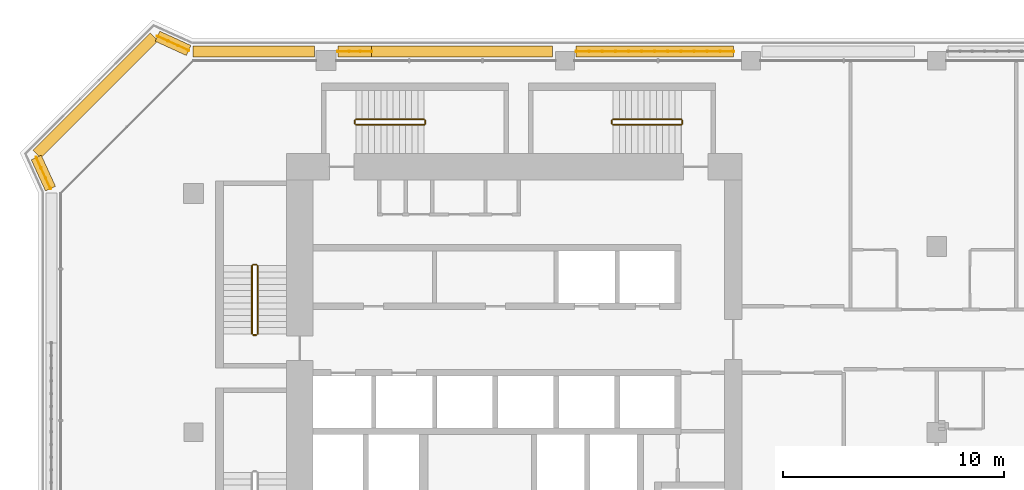
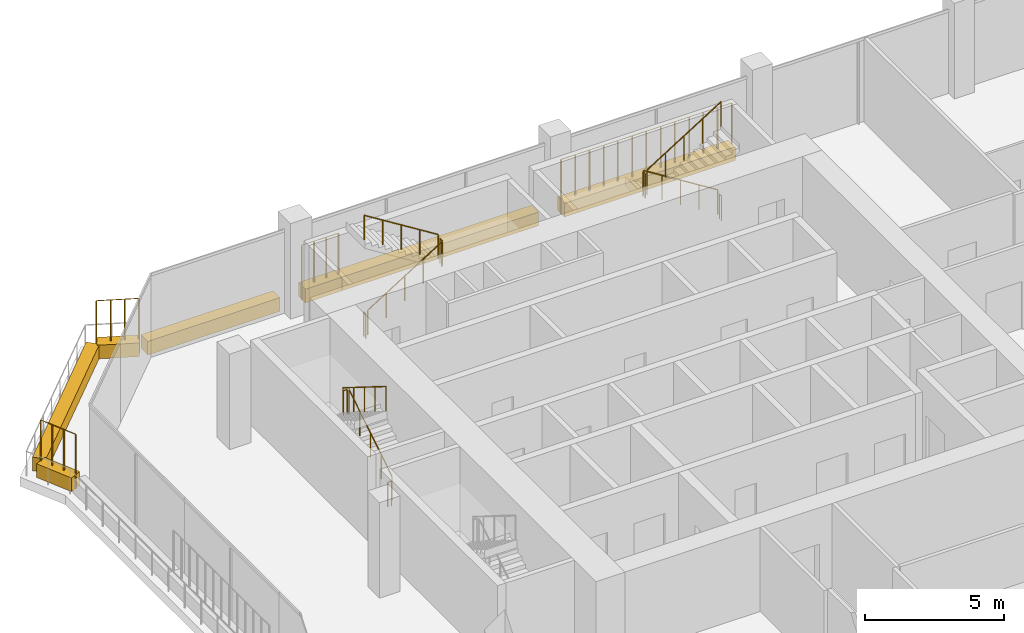
# One storey, part 21 of 23: 16 railings, 7 coverings.
"""IFC4 building model written with IfcOpenShell, lengths in metres."""

from ifc_helpers import new_model, si_unit, direction, frame, origin, origin_2d, place, context, subcontext, project, spatial, rectangle, circle, extrude, material, material_profile, profile_set, type_object, element, save


model = new_model("IFC4")

# Units and contexts
model_context = context("Model", 3, precision=1e-05, world=origin(), true_north=direction((0.0, 1.0)))
body_context = subcontext(model_context, "Body", "Model", "MODEL_VIEW")
ifc_project = project(units=[si_unit("LENGTHUNIT", "METRE"), si_unit("AREAUNIT", "SQUARE_METRE"), si_unit("VOLUMEUNIT", "CUBIC_METRE"), si_unit("PLANEANGLEUNIT", "RADIAN"), si_unit("MASSUNIT", "GRAM", prefix="KILO")], contexts=[model_context])

# Site, building, storey
site_placement = place(None, origin())
site = spatial("IfcSite", under=ifc_project, at=site_placement, CompositionType="ELEMENT")
building_placement = place(site_placement, origin())
building = spatial("IfcBuilding", under=site, at=building_placement, Name="Kawkab Arch Medical Tower", CompositionType="ELEMENT")
storey_placement = place(building_placement, frame((0.0, 0.0, 268.39990234375)))
storey = spatial("IfcBuildingStorey", under=building, at=storey_placement, Name="L62", CompositionType="ELEMENT", Elevation=268.39990234375)

# Coverings
ifc_material_1 = material(Name="Planting soil in a precast trough", Category="concrete")
ifc_material_profile = material_profile(ifc_material_1, rectangle(XDim=0.5, YDim=0.60009765625, at=origin_2d()), Name="Trough 500x600")
ifc_profile_set = profile_set([ifc_material_profile], Name="Planting soil in a precast trough")
covering_type = type_object("IfcCoveringType", Name="Planter trough 500 x 600", PredefinedType="USERDEFINED", material=ifc_profile_set)
covering_1_placement = place(storey_placement, frame((-6.4609375, -5.782958984375, 0.300048828125), z_axis=(-0.415363486165, 0.909655525109, 0.0), x_axis=(-0.909655525109, -0.415363486165, 0.0)))
element("IfcCovering", 1, at=covering_1_placement, inside=storey, type_object=covering_type, Name="Planter L62.LOG-01-01.13", ObjectType="PLANTER", PredefinedType="USERDEFINED", context=body_context, shape_type="SweptSolid", body=[
    extrude(rectangle(XDim=0.5, YDim=0.60009765625, at=origin_2d()), origin(), (0.0, 0.0, 1.0), 1.54345703125),
])
covering_2_placement = place(storey_placement, frame((-7.072998046875, -4.217041015625, 0.300048828125), z_axis=(0.707106781187, 0.707106781187, 0.0), x_axis=(-0.707106781187, 0.707106781187, 0.0)))
element("IfcCovering", 2, at=covering_2_placement, inside=storey, type_object=covering_type, Name="Planter L62.LOG-01-01.14", ObjectType="PLANTER", PredefinedType="USERDEFINED", context=body_context, shape_type="SweptSolid", body=[
    extrude(rectangle(XDim=0.5, YDim=0.60009765625, at=origin_2d()), origin(), (0.0, 0.0, 1.0), 7.481201171875),
])
covering_3_placement = place(storey_placement, frame((-1.62109375, 1.10205078125, 0.300048828125), z_axis=(0.909655525109, -0.415363486165, 0.0), x_axis=(0.415363486165, 0.909655525109, 0.0)))
element("IfcCovering", 3, at=covering_3_placement, inside=storey, type_object=covering_type, Name="Planter L62.LOG-01-01.15", ObjectType="PLANTER", PredefinedType="USERDEFINED", context=body_context, shape_type="SweptSolid", body=[
    extrude(rectangle(XDim=0.5, YDim=0.60009765625, at=origin_2d()), origin(), (0.0, 0.0, 1.0), 1.54345703125),
])
covering_4_placement = place(storey_placement, frame((-0.02587890625, 0.419921875, 0.300048828125), z_axis=(1.0, 0.0, 0.0), x_axis=(0.0, 1.0, 0.0)))
element("IfcCovering", 4, at=covering_4_placement, inside=storey, type_object=covering_type, Name="Planter L62.LOG-01-01.16", ObjectType="PLANTER", PredefinedType="USERDEFINED", context=body_context, shape_type="SweptSolid", body=[
    extrude(rectangle(XDim=0.5, YDim=0.60009765625, at=origin_2d()), origin(), (0.0, 0.0, 1.0), 5.495849609375),
])
covering_5_placement = place(storey_placement, frame((6.530029296875, 0.419921875, 0.300048828125), z_axis=(1.0, 0.0, 0.0), x_axis=(0.0, 1.0, 0.0)))
element("IfcCovering", 5, at=covering_5_placement, inside=storey, type_object=covering_type, Name="Planter L62.LOG-01-01.17", ObjectType="PLANTER", PredefinedType="USERDEFINED", context=body_context, shape_type="SweptSolid", body=[
    extrude(rectangle(XDim=0.5, YDim=0.60009765625, at=origin_2d()), origin(), (0.0, 0.0, 1.0), 1.52294921875),
])
covering_6_placement = place(storey_placement, frame((8.052978515625, 0.419921875, 0.300048828125), z_axis=(1.0, 0.0, 0.0), x_axis=(0.0, 1.0, 0.0)))
element("IfcCovering", 6, at=covering_6_placement, inside=storey, type_object=covering_type, Name="Planter L62.LOG-01-01.18", ObjectType="PLANTER", PredefinedType="USERDEFINED", context=body_context, shape_type="SweptSolid", body=[
    extrude(rectangle(XDim=0.5, YDim=0.60009765625, at=origin_2d()), origin(), (0.0, 0.0, 1.0), 8.178955078125),
])
covering_7_placement = place(storey_placement, frame((17.304931640625, 0.419921875, 0.300048828125), z_axis=(1.0, 0.0, 0.0), x_axis=(0.0, 1.0, 0.0)))
element("IfcCovering", 7, at=covering_7_placement, inside=storey, type_object=covering_type, Name="Planter L62.LOG-01-01.19", ObjectType="PLANTER", PredefinedType="USERDEFINED", context=body_context, shape_type="SweptSolid", body=[
    extrude(rectangle(XDim=0.5, YDim=0.60009765625, at=origin_2d()), origin(), (0.0, 0.0, 1.0), 7.10595703125),
])

# Railings
ifc_material_2 = material(Name="Bronze anodised aluminium trellis for climbing plants", Category="aluminium")
railing_type_1 = type_object("IfcRailingType", Name="Planting trellis 2400", PredefinedType="USERDEFINED", material=ifc_material_2)
railing_1_placement = place(storey_placement, frame((-6.4609375, -5.782958984375, 0.0)))
element("IfcRailing", 8, at=railing_1_placement, inside=storey, type_object=railing_type_1, Name="Planting trellis L62.LOG-01-01.13", ObjectType="TRELLIS", PredefinedType="USERDEFINED", context=body_context, shape_type="SweptSolid", body=[
    extrude(circle(Radius=0.01513671875, at=origin_2d()), frame((0.0, 0.0, 2.384765625), z_axis=(-0.415363486165, 0.909655525109, 0.0), x_axis=(-0.909655525109, -0.415363486165, 0.0)), (0.0, 0.0, 1.0), 1.54345703125),
    extrude(circle(Radius=0.030029296875, at=origin_2d()), origin(), (0.0, 0.0, 1.0), 2.369873046875),
    extrude(circle(Radius=0.030029296875, at=origin_2d()), frame((-0.213623046875, 0.468017578125, 0.0)), (0.0, 0.0, 1.0), 2.369873046875),
    extrude(circle(Radius=0.030029296875, at=origin_2d()), frame((-0.427490234375, 0.93603515625, 0.0)), (0.0, 0.0, 1.0), 2.369873046875),
    extrude(circle(Radius=0.030029296875, at=origin_2d()), frame((-0.64111328125, 1.404052734375, 0.0)), (0.0, 0.0, 1.0), 2.369873046875),
])
railing_2_placement = place(storey_placement, frame((-1.62109375, 1.10205078125, 0.0)))
element("IfcRailing", 9, at=railing_2_placement, inside=storey, type_object=railing_type_1, Name="Planting trellis L62.LOG-01-01.15", ObjectType="TRELLIS", PredefinedType="USERDEFINED", context=body_context, shape_type="SweptSolid", body=[
    extrude(circle(Radius=0.01513671875, at=origin_2d()), frame((0.0, 0.0, 2.384765625), z_axis=(0.909655525109, -0.415363486165, 0.0), x_axis=(0.415363486165, 0.909655525109, 0.0)), (0.0, 0.0, 1.0), 1.54345703125),
    extrude(circle(Radius=0.030029296875, at=origin_2d()), origin(), (0.0, 0.0, 1.0), 2.369873046875),
    extrude(circle(Radius=0.030029296875, at=origin_2d()), frame((0.468017578125, -0.213623046875, 0.0)), (0.0, 0.0, 1.0), 2.369873046875),
    extrude(circle(Radius=0.030029296875, at=origin_2d()), frame((0.93603515625, -0.427490234375, 0.0)), (0.0, 0.0, 1.0), 2.369873046875),
    extrude(circle(Radius=0.030029296875, at=origin_2d()), frame((1.404052734375, -0.64111328125, 0.0)), (0.0, 0.0, 1.0), 2.369873046875),
])
railing_3_placement = place(storey_placement, frame((6.530029296875, 0.419921875, 0.0)))
element("IfcRailing", 10, at=railing_3_placement, inside=storey, type_object=railing_type_1, Name="Planting trellis L62.LOG-01-01.17", ObjectType="TRELLIS", PredefinedType="USERDEFINED", context=body_context, shape_type="SweptSolid", body=[
    extrude(circle(Radius=0.01513671875, at=origin_2d()), frame((0.0, 0.0, 2.384765625), z_axis=(1.0, 0.0, 0.0), x_axis=(0.0, 1.0, 0.0)), (0.0, 0.0, 1.0), 1.52294921875),
    extrude(circle(Radius=0.030029296875, at=origin_2d()), origin(), (0.0, 0.0, 1.0), 2.369873046875),
    extrude(circle(Radius=0.030029296875, at=origin_2d()), frame((0.507568359375, 0.0, 0.0)), (0.0, 0.0, 1.0), 2.369873046875),
    extrude(circle(Radius=0.030029296875, at=origin_2d()), frame((1.015380859375, 0.0, 0.0)), (0.0, 0.0, 1.0), 2.369873046875),
    extrude(circle(Radius=0.030029296875, at=origin_2d()), frame((1.52294921875, 0.0, 0.0)), (0.0, 0.0, 1.0), 2.369873046875),
])
railing_4_placement = place(storey_placement, frame((17.304931640625, 0.419921875, 0.0)))
element("IfcRailing", 11, at=railing_4_placement, inside=storey, type_object=railing_type_1, Name="Planting trellis L62.LOG-01-01.19", ObjectType="TRELLIS", PredefinedType="USERDEFINED", context=body_context, shape_type="SweptSolid", body=[
    extrude(circle(Radius=0.01513671875, at=origin_2d()), frame((0.0, 0.0, 2.384765625), z_axis=(1.0, 0.0, 0.0), x_axis=(0.0, 1.0, 0.0)), (0.0, 0.0, 1.0), 7.10595703125),
    extrude(circle(Radius=0.030029296875, at=origin_2d()), origin(), (0.0, 0.0, 1.0), 2.369873046875),
    extrude(circle(Radius=0.030029296875, at=origin_2d()), frame((0.59228515625, 0.0, 0.0)), (0.0, 0.0, 1.0), 2.369873046875),
    extrude(circle(Radius=0.030029296875, at=origin_2d()), frame((1.184326171875, 0.0, 0.0)), (0.0, 0.0, 1.0), 2.369873046875),
    extrude(circle(Radius=0.030029296875, at=origin_2d()), frame((1.7763671875, 0.0, 0.0)), (0.0, 0.0, 1.0), 2.369873046875),
    extrude(circle(Radius=0.030029296875, at=origin_2d()), frame((2.36865234375, 0.0, 0.0)), (0.0, 0.0, 1.0), 2.369873046875),
    extrude(circle(Radius=0.030029296875, at=origin_2d()), frame((2.9609375, 0.0, 0.0)), (0.0, 0.0, 1.0), 2.369873046875),
    extrude(circle(Radius=0.030029296875, at=origin_2d()), frame((3.552978515625, 0.0, 0.0)), (0.0, 0.0, 1.0), 2.369873046875),
    extrude(circle(Radius=0.030029296875, at=origin_2d()), frame((4.14501953125, 0.0, 0.0)), (0.0, 0.0, 1.0), 2.369873046875),
    extrude(circle(Radius=0.030029296875, at=origin_2d()), frame((4.7373046875, 0.0, 0.0)), (0.0, 0.0, 1.0), 2.369873046875),
    extrude(circle(Radius=0.030029296875, at=origin_2d()), frame((5.32958984375, 0.0, 0.0)), (0.0, 0.0, 1.0), 2.369873046875),
    extrude(circle(Radius=0.030029296875, at=origin_2d()), frame((5.921630859375, 0.0, 0.0)), (0.0, 0.0, 1.0), 2.369873046875),
    extrude(circle(Radius=0.030029296875, at=origin_2d()), frame((6.513671875, 0.0, 0.0)), (0.0, 0.0, 1.0), 2.369873046875),
    extrude(circle(Radius=0.030029296875, at=origin_2d()), frame((7.10595703125, 0.0, 0.0)), (0.0, 0.0, 1.0), 2.369873046875),
])
ifc_material_3 = material(Name="Stainless steel", Category="steel")
railing_type_2 = type_object("IfcRailingType", Name="Stair guard 1100", PredefinedType="GUARDRAIL", material=ifc_material_3)
railing_5_placement = place(storey_placement, frame((2.89990234375, -12.35009765625, 0.175048828125)))
element("IfcRailing", 12, at=railing_5_placement, inside=storey, type_object=railing_type_2, Name="L62 ST1 stair guard 1", PredefinedType="GUARDRAIL", context=body_context, shape_type="SweptSolid", body=[
    extrude(circle(Radius=0.02392578125, at=origin_2d()), frame((0.0, 0.0, 1.076171875), z_axis=(0.0, 0.847998304005, 0.529998940003), x_axis=(-1.0, 0.0, 0.0)), (0.0, 0.0, 1.0), 3.632080078125),
    extrude(circle(Radius=0.02099609375, at=origin_2d()), origin(), (0.0, 0.0, 1.0), 1.052001953125),
    extrude(circle(Radius=0.02099609375, at=origin_2d()), frame((0.0, 0.77001953125, 0.481201171875)), (0.0, 0.0, 1.0), 1.052001953125),
    extrude(circle(Radius=0.02099609375, at=origin_2d()), frame((0.0, 1.5400390625, 0.96240234375)), (0.0, 0.0, 1.0), 1.052001953125),
    extrude(circle(Radius=0.02099609375, at=origin_2d()), frame((0.0, 2.31005859375, 1.44384765625)), (0.0, 0.0, 1.0), 1.052001953125),
    extrude(circle(Radius=0.02099609375, at=origin_2d()), frame((0.0, 3.080078125, 1.925048828125)), (0.0, 0.0, 1.0), 1.052001953125),
])
railing_6_placement = place(storey_placement, frame((2.85009765625, -9.219970703125, 2.10009765625)))
element("IfcRailing", 13, at=railing_6_placement, inside=storey, type_object=railing_type_2, Name="L62 ST1 stair guard 2", PredefinedType="GUARDRAIL", context=body_context, shape_type="SweptSolid", body=[
    extrude(circle(Radius=0.02392578125, at=origin_2d()), frame((0.0, 0.0, 1.076171875), z_axis=(-1.0, 0.0, 0.0), x_axis=(0.0, -1.0, 0.0)), (0.0, 0.0, 1.0), 0.150146484375),
    extrude(circle(Radius=0.02099609375, at=origin_2d()), origin(), (0.0, 0.0, 1.0), 1.052001953125),
    extrude(circle(Radius=0.02099609375, at=origin_2d()), frame((-0.150146484375, 0.0, 0.0)), (0.0, 0.0, 1.0), 1.052001953125),
])
railing_7_placement = place(storey_placement, frame((2.64990234375, -9.27001953125, 2.275146484375)))
element("IfcRailing", 14, at=railing_7_placement, inside=storey, type_object=railing_type_2, Name="L62 ST1 stair guard 3", PredefinedType="GUARDRAIL", context=body_context, shape_type="SweptSolid", body=[
    extrude(circle(Radius=0.02392578125, at=origin_2d()), frame((0.0, 0.0, 1.076171875), z_axis=(0.0, -0.847998304005, 0.529998940003), x_axis=(1.0, 0.0, 0.0)), (0.0, 0.0, 1.0), 3.632080078125),
    extrude(circle(Radius=0.02099609375, at=origin_2d()), origin(), (0.0, 0.0, 1.0), 1.052001953125),
    extrude(circle(Radius=0.02099609375, at=origin_2d()), frame((0.0, -0.77001953125, 0.481201171875)), (0.0, 0.0, 1.0), 1.052001953125),
    extrude(circle(Radius=0.02099609375, at=origin_2d()), frame((0.0, -1.5400390625, 0.96240234375)), (0.0, 0.0, 1.0), 1.052001953125),
    extrude(circle(Radius=0.02099609375, at=origin_2d()), frame((0.0, -2.31005859375, 1.44384765625)), (0.0, 0.0, 1.0), 1.052001953125),
    extrude(circle(Radius=0.02099609375, at=origin_2d()), frame((0.0, -3.080078125, 1.925048828125)), (0.0, 0.0, 1.0), 1.052001953125),
])
railing_8_placement = place(storey_placement, frame((2.85009765625, -12.39990234375, 0.0)))
element("IfcRailing", 15, at=railing_8_placement, inside=storey, type_object=railing_type_2, Name="L62 ST1 stair guard 4", PredefinedType="GUARDRAIL", context=body_context, shape_type="SweptSolid", body=[
    extrude(circle(Radius=0.02392578125, at=origin_2d()), frame((0.0, 0.0, 1.076171875), z_axis=(-1.0, 0.0, 0.0), x_axis=(0.0, -1.0, 0.0)), (0.0, 0.0, 1.0), 0.150146484375),
    extrude(circle(Radius=0.02099609375, at=origin_2d()), origin(), (0.0, 0.0, 1.0), 1.052001953125),
    extrude(circle(Radius=0.02099609375, at=origin_2d()), frame((-0.150146484375, 0.0, 0.0)), (0.0, 0.0, 1.0), 1.052001953125),
])
railing_9_placement = place(storey_placement, frame((7.35009765625, -2.89990234375, 0.175048828125)))
element("IfcRailing", 16, at=railing_9_placement, inside=storey, type_object=railing_type_2, Name="L62 ST3 stair guard 1", PredefinedType="GUARDRAIL", context=body_context, shape_type="SweptSolid", body=[
    extrude(circle(Radius=0.02392578125, at=origin_2d()), frame((0.0, 0.0, 1.076171875), z_axis=(0.847979421464, 0.0, 0.530029150871), x_axis=(0.0, 1.0, 0.0)), (0.0, 0.0, 1.0), 3.632080078125),
    extrude(circle(Radius=0.02099609375, at=origin_2d()), origin(), (0.0, 0.0, 1.0), 1.052001953125),
    extrude(circle(Radius=0.02099609375, at=origin_2d()), frame((0.77001953125, 0.0, 0.481201171875)), (0.0, 0.0, 1.0), 1.052001953125),
    extrude(circle(Radius=0.02099609375, at=origin_2d()), frame((1.5400390625, 0.0, 0.96240234375)), (0.0, 0.0, 1.0), 1.052001953125),
    extrude(circle(Radius=0.02099609375, at=origin_2d()), frame((2.309814453125, 0.0, 1.44384765625)), (0.0, 0.0, 1.0), 1.052001953125),
    extrude(circle(Radius=0.02099609375, at=origin_2d()), frame((3.079833984375, 0.0, 1.925048828125)), (0.0, 0.0, 1.0), 1.052001953125),
])
railing_10_placement = place(storey_placement, frame((10.47998046875, -2.85009765625, 2.10009765625)))
element("IfcRailing", 17, at=railing_10_placement, inside=storey, type_object=railing_type_2, Name="L62 ST3 stair guard 2", PredefinedType="GUARDRAIL", context=body_context, shape_type="SweptSolid", body=[
    extrude(circle(Radius=0.02392578125, at=origin_2d()), frame((0.0, 0.0, 1.076171875), z_axis=(0.0, 1.0, 0.0), x_axis=(-1.0, 0.0, 0.0)), (0.0, 0.0, 1.0), 0.150146484375),
    extrude(circle(Radius=0.02099609375, at=origin_2d()), origin(), (0.0, 0.0, 1.0), 1.052001953125),
    extrude(circle(Radius=0.02099609375, at=origin_2d()), frame((0.0, 0.150146484375, 0.0)), (0.0, 0.0, 1.0), 1.052001953125),
])
railing_11_placement = place(storey_placement, frame((10.429931640625, -2.64990234375, 2.275146484375)))
element("IfcRailing", 18, at=railing_11_placement, inside=storey, type_object=railing_type_2, Name="L62 ST3 stair guard 3", PredefinedType="GUARDRAIL", context=body_context, shape_type="SweptSolid", body=[
    extrude(circle(Radius=0.02392578125, at=origin_2d()), frame((0.0, 0.0, 1.076171875), z_axis=(-0.847979421464, 0.0, 0.530029150871), x_axis=(0.0, -1.0, 0.0)), (0.0, 0.0, 1.0), 3.632080078125),
    extrude(circle(Radius=0.02099609375, at=origin_2d()), origin(), (0.0, 0.0, 1.0), 1.052001953125),
    extrude(circle(Radius=0.02099609375, at=origin_2d()), frame((-0.77001953125, 0.0, 0.481201171875)), (0.0, 0.0, 1.0), 1.052001953125),
    extrude(circle(Radius=0.02099609375, at=origin_2d()), frame((-1.5400390625, 0.0, 0.96240234375)), (0.0, 0.0, 1.0), 1.052001953125),
    extrude(circle(Radius=0.02099609375, at=origin_2d()), frame((-2.309814453125, 0.0, 1.44384765625)), (0.0, 0.0, 1.0), 1.052001953125),
    extrude(circle(Radius=0.02099609375, at=origin_2d()), frame((-3.079833984375, 0.0, 1.925048828125)), (0.0, 0.0, 1.0), 1.052001953125),
])
railing_12_placement = place(storey_placement, frame((7.300048828125, -2.85009765625, 0.0)))
element("IfcRailing", 19, at=railing_12_placement, inside=storey, type_object=railing_type_2, Name="L62 ST3 stair guard 4", PredefinedType="GUARDRAIL", context=body_context, shape_type="SweptSolid", body=[
    extrude(circle(Radius=0.02392578125, at=origin_2d()), frame((0.0, 0.0, 1.076171875), z_axis=(0.0, 1.0, 0.0), x_axis=(-1.0, 0.0, 0.0)), (0.0, 0.0, 1.0), 0.150146484375),
    extrude(circle(Radius=0.02099609375, at=origin_2d()), origin(), (0.0, 0.0, 1.0), 1.052001953125),
    extrude(circle(Radius=0.02099609375, at=origin_2d()), frame((0.0, 0.150146484375, 0.0)), (0.0, 0.0, 1.0), 1.052001953125),
])
railing_13_placement = place(storey_placement, frame((22.050048828125, -2.64990234375, 0.175048828125)))
element("IfcRailing", 20, at=railing_13_placement, inside=storey, type_object=railing_type_2, Name="L62 ST4 stair guard 1", PredefinedType="GUARDRAIL", context=body_context, shape_type="SweptSolid", body=[
    extrude(circle(Radius=0.02392578125, at=origin_2d()), frame((0.0, 0.0, 1.076171875), z_axis=(-0.847998304005, 0.0, 0.529998940003), x_axis=(0.0, -1.0, 0.0)), (0.0, 0.0, 1.0), 3.632080078125),
    extrude(circle(Radius=0.02099609375, at=origin_2d()), origin(), (0.0, 0.0, 1.0), 1.052001953125),
    extrude(circle(Radius=0.02099609375, at=origin_2d()), frame((-0.77001953125, 0.0, 0.481201171875)), (0.0, 0.0, 1.0), 1.052001953125),
    extrude(circle(Radius=0.02099609375, at=origin_2d()), frame((-1.5400390625, 0.0, 0.96240234375)), (0.0, 0.0, 1.0), 1.052001953125),
    extrude(circle(Radius=0.02099609375, at=origin_2d()), frame((-2.31005859375, 0.0, 1.44384765625)), (0.0, 0.0, 1.0), 1.052001953125),
    extrude(circle(Radius=0.02099609375, at=origin_2d()), frame((-3.080078125, 0.0, 1.925048828125)), (0.0, 0.0, 1.0), 1.052001953125),
])
railing_14_placement = place(storey_placement, frame((18.919921875, -2.699951171875, 2.10009765625)))
element("IfcRailing", 21, at=railing_14_placement, inside=storey, type_object=railing_type_2, Name="L62 ST4 stair guard 2", PredefinedType="GUARDRAIL", context=body_context, shape_type="SweptSolid", body=[
    extrude(circle(Radius=0.02392578125, at=origin_2d()), frame((0.0, 0.0, 1.076171875), z_axis=(0.0, -1.0, 0.0), x_axis=(1.0, 0.0, 0.0)), (0.0, 0.0, 1.0), 0.150146484375),
    extrude(circle(Radius=0.02099609375, at=origin_2d()), origin(), (0.0, 0.0, 1.0), 1.052001953125),
    extrude(circle(Radius=0.02099609375, at=origin_2d()), frame((0.0, -0.150146484375, 0.0)), (0.0, 0.0, 1.0), 1.052001953125),
])
railing_15_placement = place(storey_placement, frame((18.969970703125, -2.89990234375, 2.275146484375)))
element("IfcRailing", 22, at=railing_15_placement, inside=storey, type_object=railing_type_2, Name="L62 ST4 stair guard 3", PredefinedType="GUARDRAIL", context=body_context, shape_type="SweptSolid", body=[
    extrude(circle(Radius=0.02392578125, at=origin_2d()), frame((0.0, 0.0, 1.076171875), z_axis=(0.847998304005, 0.0, 0.529998940003), x_axis=(0.0, 1.0, 0.0)), (0.0, 0.0, 1.0), 3.632080078125),
    extrude(circle(Radius=0.02099609375, at=origin_2d()), origin(), (0.0, 0.0, 1.0), 1.052001953125),
    extrude(circle(Radius=0.02099609375, at=origin_2d()), frame((0.77001953125, 0.0, 0.481201171875)), (0.0, 0.0, 1.0), 1.052001953125),
    extrude(circle(Radius=0.02099609375, at=origin_2d()), frame((1.5400390625, 0.0, 0.96240234375)), (0.0, 0.0, 1.0), 1.052001953125),
    extrude(circle(Radius=0.02099609375, at=origin_2d()), frame((2.31005859375, 0.0, 1.44384765625)), (0.0, 0.0, 1.0), 1.052001953125),
    extrude(circle(Radius=0.02099609375, at=origin_2d()), frame((3.080078125, 0.0, 1.925048828125)), (0.0, 0.0, 1.0), 1.052001953125),
])
railing_16_placement = place(storey_placement, frame((22.10009765625, -2.699951171875, 0.0)))
element("IfcRailing", 23, at=railing_16_placement, inside=storey, type_object=railing_type_2, Name="L62 ST4 stair guard 4", PredefinedType="GUARDRAIL", context=body_context, shape_type="SweptSolid", body=[
    extrude(circle(Radius=0.02392578125, at=origin_2d()), frame((0.0, 0.0, 1.076171875), z_axis=(0.0, -1.0, 0.0), x_axis=(1.0, 0.0, 0.0)), (0.0, 0.0, 1.0), 0.150146484375),
    extrude(circle(Radius=0.02099609375, at=origin_2d()), origin(), (0.0, 0.0, 1.0), 1.052001953125),
    extrude(circle(Radius=0.02099609375, at=origin_2d()), frame((0.0, -0.150146484375, 0.0)), (0.0, 0.0, 1.0), 1.052001953125),
])

save(model, "model.ifc")
